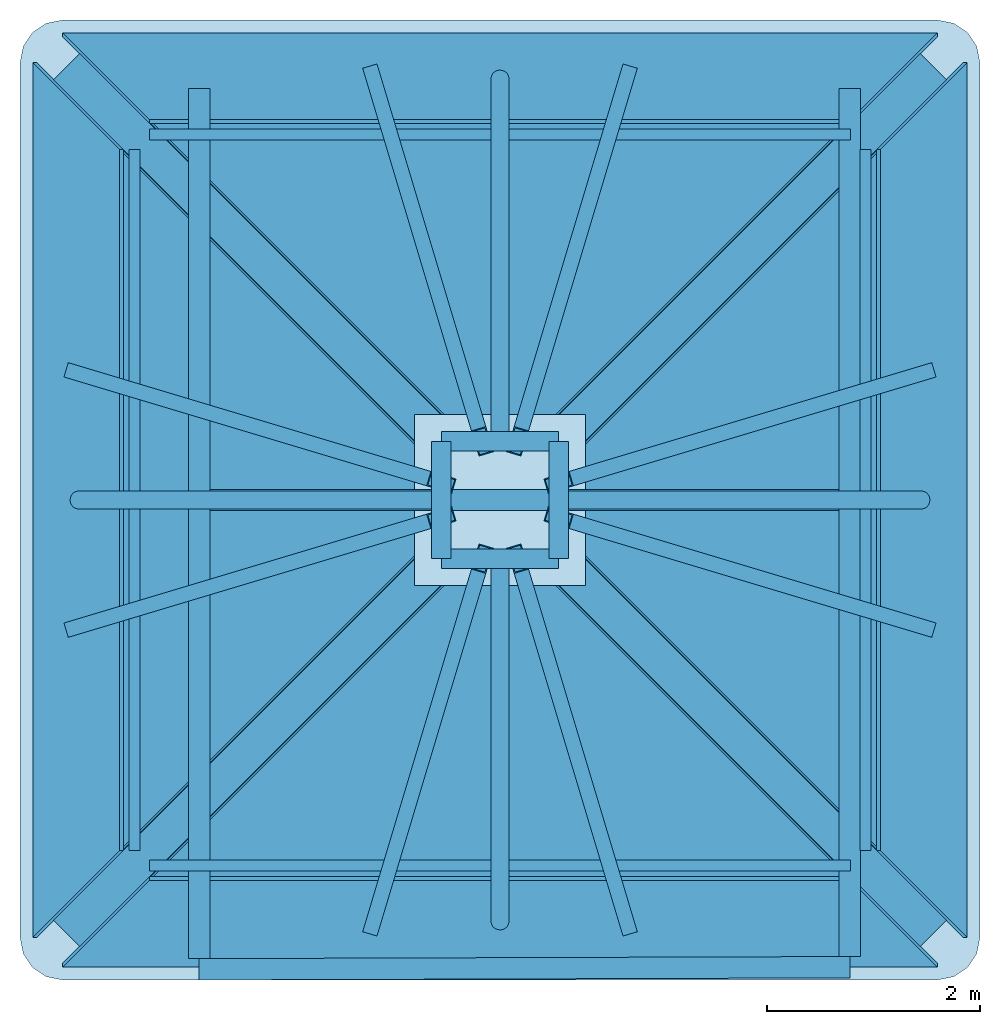
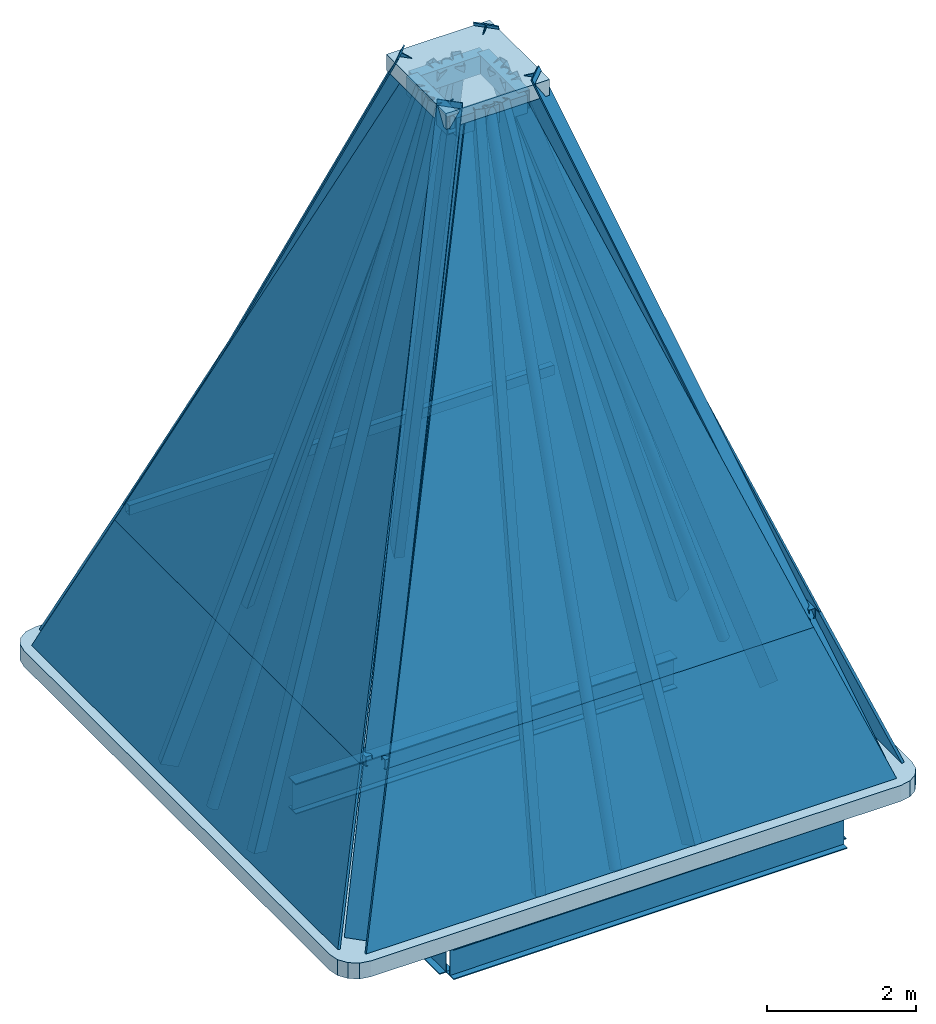
# One storey: 20 members, 9 plates, 8 beams, 1 slab, 4 elements without a shape of their own.
"""IFC4 building model written with IfcOpenShell, lengths in metres."""

import ifcopenshell
import ifcopenshell.guid

model = None  # the IFC model being written
_history = None  # IfcOwnerHistory: only IFC2X3 demands one
_inside = {}  # id of a spatial element -> (the spatial element, [elements in it])
_under = {}  # id of a project, library or spatial element -> (it, [spatial elements below it])
_declared = {}  # id of a project -> (the project, [libraries it declares])
_typed = {}  # id of a type object -> (the type object, [elements of that type])
_made_of = {}  # id of a material, layer set ... -> (it, [elements and type objects made of it])


def new_model(schema):
    """Start an empty IFC model of exactly this schema.

    Asked for "IFC4X3", IfcOpenShell would pick the latest addendum, in which some entities
    have other attributes; the version numbers below select the first issue.
    IFC2X3 requires an IfcOwnerHistory on every rooted entity: one is made here for all.
    """
    global model, _history
    if schema == "IFC4X3":
        model = ifcopenshell.file(schema_version=(4, 3, 0, 0))
    else:
        model = ifcopenshell.file(schema=schema)
    _inside.clear()
    _under.clear()
    _declared.clear()
    _typed.clear()
    _made_of.clear()
    _history = None
    if model.schema == "IFC2X3":
        org = make("IfcOrganization", Name="unknown")
        user = make(
            "IfcPersonAndOrganization",
            ThePerson=make("IfcPerson", FamilyName="unknown"),
            TheOrganization=org,
        )
        app = make(
            "IfcApplication",
            ApplicationDeveloper=org,
            Version="unknown",
            ApplicationFullName="unknown",
            ApplicationIdentifier="unknown",
        )
        _history = make(
            "IfcOwnerHistory",
            OwningUser=user,
            OwningApplication=app,
            ChangeAction="ADDED",
            CreationDate=0,
        )
    return model


def make(cls, **values):
    """One entity of the class cls with the attributes given. An attribute that is None is left unset."""
    return model.create_entity(
        cls, **{name: value for name, value in values.items() if value is not None}
    )


def rooted(cls, **values):
    """An entity with a GlobalId (a new one), such as an element, a storey or a relation."""
    return make(cls, GlobalId=ifcopenshell.guid.new(), OwnerHistory=_history, **values)


def si_unit(unit_type, name, prefix=None):
    """IfcSIUnit, for example si_unit("LENGTHUNIT", "METRE", prefix="MILLI")."""
    return make("IfcSIUnit", UnitType=unit_type, Prefix=prefix, Name=name)


def assignment(units):
    """IfcUnitAssignment: the units of a project."""
    return None if units is None else make("IfcUnitAssignment", Units=units)


def point(xyz):
    """IfcCartesianPoint."""
    return None if xyz is None else make("IfcCartesianPoint", Coordinates=xyz)


def direction(xyz):
    """IfcDirection."""
    return None if xyz is None else make("IfcDirection", DirectionRatios=xyz)


def frame(location, z_axis=None, x_axis=None):
    """IfcAxis2Placement3D, a coordinate frame: its origin and axes. An axis left out is left unset."""
    return make(
        "IfcAxis2Placement3D",
        Location=point(location),
        Axis=direction(z_axis),
        RefDirection=direction(x_axis),
    )


def frame_2d(location, x_axis=None):
    """IfcAxis2Placement2D, a coordinate frame in the plane: its origin and x axis."""
    return make(
        "IfcAxis2Placement2D", Location=point(location), RefDirection=direction(x_axis)
    )


def origin():
    """The frame at (0, 0, 0) with its axes left unset."""
    return frame((0.0, 0.0, 0.0))


def origin_2d():
    """The frame at (0, 0) in the plane with its x axis left unset."""
    return frame_2d((0.0, 0.0))


def place(relative_to, where):
    """IfcLocalPlacement: puts the frame where relative to a parent placement (None: the world)."""
    return make(
        "IfcLocalPlacement", PlacementRelTo=relative_to, RelativePlacement=where
    )


def context(
    kind, dimensions, precision=None, world=None, true_north=None, identifier=None
):
    """IfcGeometricRepresentationContext, for example the 3D "Model" context."""
    return make(
        "IfcGeometricRepresentationContext",
        ContextIdentifier=identifier,
        ContextType=kind,
        CoordinateSpaceDimension=dimensions,
        Precision=precision,
        WorldCoordinateSystem=world,
        TrueNorth=true_north,
    )


def subcontext(parent, identifier, kind, view, scale=None):
    """IfcGeometricRepresentationSubContext, for example "Body" below "Model"."""
    return make(
        "IfcGeometricRepresentationSubContext",
        ContextIdentifier=identifier,
        ContextType=kind,
        ParentContext=parent,
        TargetScale=scale,
        TargetView=view,
    )


def project(units=None, contexts=None):
    """IfcProject with its units and contexts."""
    return rooted(
        "IfcProject",
        Name="project",
        RepresentationContexts=contexts,
        UnitsInContext=assignment(units),
    )


def spatial(cls, under=None, at=None, **own):
    """A site, building, storey or space (cls), placed at a placement, below another one or the project."""
    s = rooted(cls, ObjectPlacement=at, **own)
    if under is not None:
        _under.setdefault(under.id(), (under, []))[1].append(s)
    return s


def polyline(points):
    """IfcPolyline through the points."""
    return make("IfcPolyline", Points=[point(p) for p in points])


def profile(cls, at=None, kind="AREA", **sizes):
    """A parametric profile (cls). Its sizes go by their IFC names, for example OverallWidth=200.0."""
    return make(cls, ProfileType=kind, Position=at, **sizes)


def hollow_rectangle(**sizes):
    """IfcRectangleHollowProfileDef."""
    return profile("IfcRectangleHollowProfileDef", **sizes)


def hollow_circle(**sizes):
    """IfcCircleHollowProfileDef."""
    return profile("IfcCircleHollowProfileDef", **sizes)


def i_section(**sizes):
    """IfcIShapeProfileDef."""
    return profile("IfcIShapeProfileDef", **sizes)


def outline(outer, holes=None, kind="AREA"):
    """IfcArbitraryClosedProfileDef: a profile drawn as a closed curve; with holes, ...WithVoids."""
    if holes is None:
        return make("IfcArbitraryClosedProfileDef", ProfileType=kind, OuterCurve=outer)
    return make(
        "IfcArbitraryProfileDefWithVoids",
        ProfileType=kind,
        OuterCurve=outer,
        InnerCurves=holes,
    )


def extrude(swept, where, along, depth):
    """IfcExtrudedAreaSolid: the profile swept, set in the frame where, extruded along a direction by depth."""
    return make(
        "IfcExtrudedAreaSolid",
        SweptArea=swept,
        Position=where,
        ExtrudedDirection=direction(along),
        Depth=depth,
    )


def shape(context_of_items, identifier, shape_type, items):
    """IfcShapeRepresentation: the items that make up one representation, for example the "Body"."""
    return make(
        "IfcShapeRepresentation",
        ContextOfItems=context_of_items,
        RepresentationIdentifier=identifier,
        RepresentationType=shape_type,
        Items=items,
    )


def material(Name=None, Category=None):
    """IfcMaterial."""
    return make("IfcMaterial", Name=Name, Category=Category)


def layer(
    of_material, thickness, ventilated=None, Name=None, Category=None, Priority=None
):
    """IfcMaterialLayer: one layer of a wall or slab, of a material (None: an air gap)."""
    return make(
        "IfcMaterialLayer",
        Material=of_material,
        LayerThickness=thickness,
        IsVentilated=ventilated,
        Name=Name,
        Category=Category,
        Priority=Priority,
    )


def layer_set(layers, Name=None):
    """IfcMaterialLayerSet."""
    return make("IfcMaterialLayerSet", MaterialLayers=layers, LayerSetName=Name)


def material_profile(
    of_material, cross_section, Name=None, Category=None, Priority=None
):
    """IfcMaterialProfile: a cross section and its material."""
    return make(
        "IfcMaterialProfile",
        Name=Name,
        Material=of_material,
        Profile=cross_section,
        Priority=Priority,
        Category=Category,
    )


def profile_set(profiles, Name=None, composite=None):
    """IfcMaterialProfileSet."""
    return make(
        "IfcMaterialProfileSet",
        Name=Name,
        MaterialProfiles=profiles,
        CompositeProfile=composite,
    )


def made_of(thing, what):
    """Note that an element or type object is made of a material, layer set ...; save() writes the relation."""
    if what is not None:
        _made_of.setdefault(what.id(), (what, []))[1].append(thing)
    return thing


def type_object(cls, material=None, **own):
    """A type object (cls), such as IfcWallType, which elements share."""
    return made_of(rooted(cls, **own), material)


def element(
    cls,
    number,
    at=None,
    inside=None,
    cuts=None,
    type_object=None,
    material=None,
    context=None,
    identifier="Body",
    shape_type=None,
    held_by="IfcProductDefinitionShape",
    body=None,
    shapes=None,
    **own,
):
    """One element of the class cls, such as IfcWall. Its Tag is "e" and its number.

    at: its placement. inside: the storey or other place that contains it. cuts: it is an
    opening in that element (IfcRelVoidsElement). A single representation is given by context,
    identifier, shape_type and body (its items); several are given by shapes. held_by: the class
    of the entity that holds the representations. save() writes the other relations.
    """
    e = rooted(cls, Tag="e%d" % number, ObjectPlacement=at, **own)
    if body is not None:
        shapes = [shape(context, identifier, shape_type, body)]
    if shapes is not None:
        e.Representation = make(held_by, Representations=shapes)
    if inside is not None:
        _inside.setdefault(inside.id(), (inside, []))[1].append(e)
    if cuts is not None:
        rooted(
            "IfcRelVoidsElement", RelatingBuildingElement=cuts, RelatedOpeningElement=e
        )
    if type_object is not None:
        _typed.setdefault(type_object.id(), (type_object, []))[1].append(e)
    return made_of(e, material)


def aggregate(whole, parts):
    """IfcRelAggregates: a whole, such as a stair, and the parts it consists of."""
    return rooted("IfcRelAggregates", RelatingObject=whole, RelatedObjects=parts)


def save(model, path):
    """Write the relations noted so far, then the file.

    IfcRelAggregates (storeys below a building ...), IfcRelContainedInSpatialStructure (elements
    in a storey), IfcRelDefinesByType, IfcRelAssociatesMaterial and IfcRelDeclares: one each for
    every whole, place, type object, material and project.
    """
    for whole, parts in _under.values():
        aggregate(whole, parts)
    for where, things in _inside.values():
        rooted(
            "IfcRelContainedInSpatialStructure",
            RelatedElements=things,
            RelatingStructure=where,
        )
    for kind, things in _typed.values():
        rooted("IfcRelDefinesByType", RelatedObjects=things, RelatingType=kind)
    for what, things in _made_of.values():
        rooted("IfcRelAssociatesMaterial", RelatedObjects=things, RelatingMaterial=what)
    for by, libraries in _declared.values():
        rooted("IfcRelDeclares", RelatingContext=by, RelatedDefinitions=libraries)
    model.write(path)


model = new_model("IFC4")

# Units and contexts
model_context = context("Model", 3, precision=1e-05, world=origin(), true_north=direction((0.0, 1.0)))
body_context = subcontext(model_context, "Body", "Model", "MODEL_VIEW")
ifc_project = project(units=[si_unit("LENGTHUNIT", "METRE"), si_unit("AREAUNIT", "SQUARE_METRE"), si_unit("VOLUMEUNIT", "CUBIC_METRE"), si_unit("PLANEANGLEUNIT", "RADIAN"), si_unit("MASSUNIT", "GRAM", prefix="KILO")], contexts=[model_context])

# Site, building, storey
site_placement = place(None, origin())
site = spatial("IfcSite", under=ifc_project, at=site_placement, CompositionType="ELEMENT")
building_placement = place(site_placement, origin())
building = spatial("IfcBuilding", under=site, at=building_placement, Name="Khorvyn Point Tower", CompositionType="ELEMENT")
storey_placement = place(building_placement, frame((0.0, 0.0, 344.550048828125)))
storey = spatial("IfcBuildingStorey", under=building, at=storey_placement, Name="L80", CompositionType="ELEMENT", Elevation=344.550048828125)

# Curtain wall, member
ifc_material_1 = material(Name="Anodised aluminium 6063-T6 and laminated Low-E glass", Category="aluminium")
ifc_layer_1 = layer(ifc_material_1, 0.18994140625)
ifc_layer_set_1 = layer_set([ifc_layer_1], Name="Stick-Built Crystal Atrium Curtain Wall CW-SYS-06")
curtain_wall_type = type_object("IfcCurtainWallType", Name="Stick-Built Crystal Atrium Curtain Wall CW-SYS-06", PredefinedType="NOTDEFINED", material=ifc_layer_set_1)
curtain_wall_1_placement = place(storey_placement, origin())
curtain_wall_1 = element("IfcCurtainWall", 1, at=curtain_wall_1_placement, inside=storey, type_object=curtain_wall_type, Name="L80 Glass-Point Crown Pyramid South Curtain Wall", PredefinedType="NOTDEFINED")
ifc_material_2 = material(Name="Anodised aluminium 6063-T6", Category="aluminium")
ifc_material_profile_1 = material_profile(ifc_material_2, hollow_rectangle(XDim=0.10009765625, YDim=0.159912109375, WallThickness=0.00439453125, at=origin_2d()))
ifc_profile_set_1 = profile_set([ifc_material_profile_1], Name="Anodised aluminium 6063-T6 ALU-TRN-100x160")
member_type_1 = type_object("IfcMemberType", Name="Anodised Aluminium 6063-T6 Transom ALU-TRN-100x160", PredefinedType="USERDEFINED", material=ifc_profile_set_1)
member_1_placement = place(storey_placement, frame((-4.986083984375, -3.22607421875, 2.299072265625), z_axis=(1.0, 0.0, 0.0), x_axis=(0.0, 1.0, 0.0)))
member_1 = element("IfcMember", 2, at=member_1_placement, type_object=member_type_1, Name="L80 Crown Transom SOUTH", ObjectType="TRANSOM", PredefinedType="USERDEFINED", context=body_context, shape_type="SweptSolid", body=[
    extrude(hollow_rectangle(XDim=0.10009765625, YDim=0.159912109375, WallThickness=0.00439453125, at=origin_2d()), origin(), (0.0, 0.0, 1.0), 6.572021484375),
])

curtain_wall_2_placement = place(storey_placement, origin())
curtain_wall_2 = element("IfcCurtainWall", 3, at=curtain_wall_2_placement, inside=storey, type_object=curtain_wall_type, Name="L80 Glass-Point Crown Pyramid East Curtain Wall", PredefinedType="NOTDEFINED")
member_2_placement = place(storey_placement, frame((1.72607421875, -3.0859375, 2.299072265625), z_axis=(0.0, 1.0, 0.0), x_axis=(-1.0, 0.0, 0.0)))
member_2 = element("IfcMember", 4, at=member_2_placement, type_object=member_type_1, Name="L80 Crown Transom EAST", ObjectType="TRANSOM", PredefinedType="USERDEFINED", context=body_context, shape_type="SweptSolid", body=[
    extrude(hollow_rectangle(XDim=0.10009765625, YDim=0.159912109375, WallThickness=0.00439453125, at=origin_2d()), origin(), (0.0, 0.0, 1.0), 6.572021484375),
])

curtain_wall_3_placement = place(storey_placement, origin())
curtain_wall_3 = element("IfcCurtainWall", 5, at=curtain_wall_3_placement, inside=storey, type_object=curtain_wall_type, Name="L80 Glass-Point Crown Pyramid North Curtain Wall", PredefinedType="NOTDEFINED")
member_3_placement = place(storey_placement, frame((1.5859375, 3.6259765625, 2.299072265625), z_axis=(-1.0, 0.0, 0.0), x_axis=(0.0, -1.0, 0.0)))
member_3 = element("IfcMember", 6, at=member_3_placement, type_object=member_type_1, Name="L80 Crown Transom NORTH", ObjectType="TRANSOM", PredefinedType="USERDEFINED", context=body_context, shape_type="SweptSolid", body=[
    extrude(hollow_rectangle(XDim=0.10009765625, YDim=0.159912109375, WallThickness=0.00439453125, at=origin_2d()), origin(), (0.0, 0.0, 1.0), 6.572021484375),
])

curtain_wall_4_placement = place(storey_placement, origin())
curtain_wall_4 = element("IfcCurtainWall", 7, at=curtain_wall_4_placement, inside=storey, type_object=curtain_wall_type, Name="L80 Glass-Point Crown Pyramid West Curtain Wall", PredefinedType="NOTDEFINED")
member_4_placement = place(storey_placement, frame((-5.1259765625, 3.486083984375, 2.299072265625), z_axis=(0.0, -1.0, 0.0), x_axis=(1.0, 0.0, 0.0)))
member_4 = element("IfcMember", 8, at=member_4_placement, type_object=member_type_1, Name="L80 Crown Transom WEST", ObjectType="TRANSOM", PredefinedType="USERDEFINED", context=body_context, shape_type="SweptSolid", body=[
    extrude(hollow_rectangle(XDim=0.10009765625, YDim=0.159912109375, WallThickness=0.00439453125, at=origin_2d()), origin(), (0.0, 0.0, 1.0), 6.572021484375),
])

# Beams
ifc_material_3 = material(Name="Steel S355", Category="steel")
ifc_material_profile_2 = material_profile(ifc_material_3, i_section(OverallWidth=0.199951171875, OverallDepth=0.5, WebThickness=0.010009765625, FlangeThickness=0.01611328125, at=origin_2d()))
ifc_profile_set_2 = profile_set([ifc_material_profile_2], Name="Steel S355 H500x200x10x16")
beam_type_1 = type_object("IfcBeamType", Name="Steel S355 Beam H500x200x10x16", PredefinedType="BEAM", material=ifc_profile_set_2)
beam_1_placement = place(storey_placement, frame((-4.52001953125, -4.199951171875, -0.510009765625), z_axis=(0.999994614814, 0.003281820156, 0.0), x_axis=(-0.003281820156, 0.999994614814, 0.0)))
element("IfcBeam", 9, at=beam_1_placement, inside=storey, type_object=beam_type_1, Name="L80 Crown Core Tie Beam S", PredefinedType="BEAM", context=body_context, shape_type="SweptSolid", body=[
    extrude(i_section(OverallWidth=0.199951171875, OverallDepth=0.5, WebThickness=0.010009765625, FlangeThickness=0.01611328125, at=origin_2d()), origin(), (0.0, 0.0, 1.0), 6.10009765625),
])
beam_2_placement = place(storey_placement, frame((-4.419921875, 0.199951171875, -0.510009765625), z_axis=(1.0, 0.0, 0.0), x_axis=(0.0, 1.0, 0.0)))
element("IfcBeam", 10, at=beam_2_placement, inside=storey, type_object=beam_type_1, Name="L80 Crown Core Tie Beam N", PredefinedType="BEAM", context=body_context, shape_type="SweptSolid", body=[
    extrude(i_section(OverallWidth=0.199951171875, OverallDepth=0.5, WebThickness=0.010009765625, FlangeThickness=0.01611328125, at=origin_2d()), origin(), (0.0, 0.0, 1.0), 5.89990234375),
])
beam_3_placement = place(storey_placement, frame((-4.52001953125, -4.10009765625, -0.510009765625), z_axis=(0.0, 1.0, 0.0), x_axis=(-1.0, 0.0, 0.0)))
element("IfcBeam", 11, at=beam_3_placement, inside=storey, type_object=beam_type_1, Name="L80 Crown Core Tie Beam W", PredefinedType="BEAM", context=body_context, shape_type="SweptSolid", body=[
    extrude(i_section(OverallWidth=0.199951171875, OverallDepth=0.5, WebThickness=0.010009765625, FlangeThickness=0.01611328125, at=origin_2d()), origin(), (0.0, 0.0, 1.0), 8.16015625),
])
beam_4_placement = place(storey_placement, frame((1.580078125, -4.080078125, -0.510009765625), z_axis=(0.0, 1.0, 0.0), x_axis=(-1.0, 0.0, 0.0)))
element("IfcBeam", 12, at=beam_4_placement, inside=storey, type_object=beam_type_1, Name="L80 Crown Core Tie Beam E", PredefinedType="BEAM", context=body_context, shape_type="SweptSolid", body=[
    extrude(i_section(OverallWidth=0.199951171875, OverallDepth=0.5, WebThickness=0.010009765625, FlangeThickness=0.01611328125, at=origin_2d()), origin(), (0.0, 0.0, 1.0), 8.14013671875),
])
ifc_material_profile_3 = material_profile(ifc_material_3, hollow_rectangle(XDim=0.179931640625, YDim=0.300048828125, WallThickness=0.011962890625, at=origin_2d()))
ifc_profile_set_3 = profile_set([ifc_material_profile_3], Name="Steel S355 RHS300x180x12")
beam_type_2 = type_object("IfcBeamType", Name="Steel S355 Beam RHS300x180x12", PredefinedType="BEAM", material=ifc_profile_set_3)
for number, where, z_axis, x_axis, name in (
    (13, (-2.25, -0.35009765625, 10.0400390625), (1.0, 0.0, 0.0), (0.0, 1.0, 0.0), "L80 Crown Top Ring Beam 1"),
    (14, (-1.14990234375, -0.35009765625, 10.0400390625), (0.0, 1.0, 0.0), (-1.0, 0.0, 0.0), "L80 Crown Top Ring Beam 2"),
    (15, (-1.14990234375, 0.75, 10.0400390625), (-1.0, 0.0, 0.0), (0.0, -1.0, 0.0), "L80 Crown Top Ring Beam 3"),
    (16, (-2.25, 0.75, 10.0400390625), (0.0, -1.0, 0.0), (1.0, 0.0, 0.0), "L80 Crown Top Ring Beam 4"),
):
    element("IfcBeam", number, at=place(storey_placement, frame(where, z_axis=z_axis, x_axis=x_axis)), inside=storey, type_object=beam_type_2, Name=name, PredefinedType="BEAM", context=body_context, shape_type="SweptSolid", body=[
        extrude(hollow_rectangle(XDim=0.179931640625, YDim=0.300048828125, WallThickness=0.011962890625, at=origin_2d()), origin(), (0.0, 0.0, 1.0), 1.10009765625),
    ])

# Members
ifc_material_profile_4 = material_profile(ifc_material_3, i_section(OverallWidth=0.35009765625, OverallDepth=0.35009765625, WebThickness=0.011962890625, FlangeThickness=0.01904296875, at=origin_2d()))
ifc_profile_set_4 = profile_set([ifc_material_profile_4], Name="Steel S355 H350x350x12x19")
member_type_2 = type_object("IfcMemberType", Name="Steel S355 Exoskeleton Structural Post H350x350x12x19", PredefinedType="POST", material=ifc_profile_set_4)
for number, where, z_axis, x_axis, name in (
    (17, (-5.64990234375, -3.75, 0.0), (0.295565301848, 0.295565301848, 0.908450496553), (-0.707106781187, 0.707106781187, 0.0), "L80 CROWN FRAME Corner Hip Post 1"),
    (18, (2.25, -3.75, 0.0), (-0.295565301848, 0.295565301848, 0.908450496553), (-0.707106781187, -0.707106781187, 0.0), "L80 CROWN FRAME Corner Hip Post 2"),
    (19, (2.25, 4.14990234375, 0.0), (-0.295565301848, -0.295565301848, 0.908450496553), (0.707106781187, -0.707106781187, 0.0), "L80 CROWN FRAME Corner Hip Post 3"),
    (20, (-5.64990234375, 4.14990234375, 0.0), (0.295565301848, -0.295565301848, 0.908450496553), (0.707106781187, 0.707106781187, 0.0), "L80 CROWN FRAME Corner Hip Post 4"),
):
    element("IfcMember", number, at=place(storey_placement, frame(where, z_axis=z_axis, x_axis=x_axis)), inside=storey, type_object=member_type_2, Name=name, PredefinedType="POST", context=body_context, shape_type="SweptSolid", body=[
        extrude(i_section(OverallWidth=0.35009765625, OverallDepth=0.35009765625, WebThickness=0.011962890625, FlangeThickness=0.01904296875, at=origin_2d()), origin(), (0.0, 0.0, 1.0), 11.5029296875),
    ])
ifc_material_profile_5 = material_profile(ifc_material_3, hollow_circle(Radius=0.084228515625, WallThickness=0.008056640625, at=origin_2d()))
ifc_profile_set_5 = profile_set([ifc_material_profile_5], Name="Steel S355 CHS168.3x8")
member_type_3 = type_object("IfcMemberType", Name="Steel S355 Truss Rafter CHS168.3x8", PredefinedType="RAFTER", material=ifc_profile_set_5)
for number, where, z_axis, x_axis, name in (
    (21, (-1.699951171875, -3.75, -0.260009765625), (0.0, 0.309387971049, 0.950935898665), (-1.0, 0.0, 0.0), "L80 CROWN FRAME Secondary Rafter 1"),
    (22, (2.25, 0.199951171875, -0.260009765625), (-0.309387971049, 0.0, 0.950935898665), (0.0, -1.0, 0.0), "L80 CROWN FRAME Secondary Rafter 2"),
    (23, (-1.699951171875, 4.14990234375, -0.260009765625), (0.0, -0.309387971049, 0.950935898665), (1.0, 0.0, 0.0), "L80 CROWN FRAME Secondary Rafter 3"),
    (24, (-5.64990234375, 0.199951171875, -0.260009765625), (0.309387971049, 0.0, 0.950935898665), (0.0, 1.0, 0.0), "L80 CROWN FRAME Secondary Rafter 4"),
):
    element("IfcMember", number, at=place(storey_placement, frame(where, z_axis=z_axis, x_axis=x_axis)), inside=storey, type_object=member_type_3, Name=name, PredefinedType="RAFTER", context=body_context, shape_type="SweptSolid", body=[
        extrude(hollow_circle(Radius=0.084228515625, WallThickness=0.008056640625, at=origin_2d()), origin(), (0.0, 0.0, 1.0), 10.989013671875),
    ])
ifc_material_profile_6 = material_profile(ifc_material_3, hollow_rectangle(XDim=0.139892578125, YDim=0.260009765625, WallThickness=0.010009765625, at=origin_2d()))
ifc_profile_set_6 = profile_set([ifc_material_profile_6], Name="Steel S355 RHS260x140x10")
member_type_4 = type_object("IfcMemberType", Name="Steel S355 Truss Rafter RHS260x140x10", PredefinedType="RAFTER", material=ifc_profile_set_6)
for number, where, z_axis, x_axis, name in (
    (25, (-2.885009765625, -3.75, -0.260009765625), (0.092423541442, 0.30806372382, 0.946865687969), (-0.957822499114, 0.287360505622, 0.0), "L80 CROWN FRAME Primary Rafter 1-1"),
    (26, (-0.514892578125, -3.75, -0.260009765625), (-0.092423541442, 0.30806372382, 0.946865687969), (-0.957822499114, -0.287360505622, 0.0), "L80 CROWN FRAME Primary Rafter 1-2"),
    (27, (2.25, -0.985107421875, -0.260009765625), (-0.30806372382, 0.092423541442, 0.946865687969), (-0.287360505622, -0.957822499114, 0.0), "L80 CROWN FRAME Primary Rafter 2-1"),
    (28, (2.25, 1.385009765625, -0.260009765625), (-0.30806372382, -0.092423541442, 0.946865687969), (0.287360505622, -0.957822499114, 0.0), "L80 CROWN FRAME Primary Rafter 2-2"),
    (29, (-0.514892578125, 4.14990234375, -0.260009765625), (-0.092423541442, -0.30806372382, 0.946865687969), (0.957822499114, -0.287360505622, 0.0), "L80 CROWN FRAME Primary Rafter 3-1"),
    (30, (-2.885009765625, 4.14990234375, -0.260009765625), (0.092423541442, -0.30806372382, 0.946865687969), (0.957822499114, 0.287360505622, 0.0), "L80 CROWN FRAME Primary Rafter 3-2"),
    (31, (-5.64990234375, 1.385009765625, -0.260009765625), (0.30806372382, -0.092423541442, 0.946865687969), (0.287360505622, 0.957822499114, 0.0), "L80 CROWN FRAME Primary Rafter 4-1"),
    (32, (-5.64990234375, -0.985107421875, -0.260009765625), (0.30806372382, 0.092423541442, 0.946865687969), (-0.287360505622, 0.957822499114, 0.0), "L80 CROWN FRAME Primary Rafter 4-2"),
):
    element("IfcMember", number, at=place(storey_placement, frame(where, z_axis=z_axis, x_axis=x_axis)), inside=storey, type_object=member_type_4, Name=name, PredefinedType="RAFTER", context=body_context, shape_type="SweptSolid", body=[
        extrude(hollow_rectangle(XDim=0.139892578125, YDim=0.260009765625, WallThickness=0.010009765625, at=origin_2d()), origin(), (0.0, 0.0, 1.0), 11.036376953125),
    ])

# Slab
ifc_material_4 = material(Name="Concrete C40/50", Category="concrete")
ifc_layer_2 = layer(ifc_material_4, 0.260009765625)
ifc_layer_set_2 = layer_set([ifc_layer_2], Name="Concrete C40/50 Crown Apex Cap Slab 260")
slab_type = type_object("IfcSlabType", Name="Concrete C40/50 Crown Apex Cap Slab 260", PredefinedType="ROOF", material=ifc_layer_set_2)
slab_placement = place(storey_placement, frame((0.0, 0.0, -0.260009765625)))
element("IfcSlab", 33, at=slab_placement, inside=storey, type_object=slab_type, Name="L80 Main Structural Roof Slab", PredefinedType="ROOF", context=body_context, shape_type="SweptSolid", body=[
    extrude(outline(polyline([(2.39990234375, -4.300048828125), (2.552978515625, -4.26953125), (2.682861328125, -4.182861328125), (2.76953125, -4.052978515625), (2.800048828125, -3.89990234375), (2.800048828125, 4.300048828125), (2.76953125, 4.453125), (2.682861328125, 4.582763671875), (2.552978515625, 4.669677734375), (2.39990234375, 4.699951171875), (-5.800048828125, 4.699951171875), (-5.953125, 4.669677734375), (-6.082763671875, 4.582763671875), (-6.169677734375, 4.453125), (-6.199951171875, 4.300048828125), (-6.199951171875, -3.89990234375), (-6.169677734375, -4.052978515625), (-6.082763671875, -4.182861328125), (-5.953125, -4.26953125), (-5.800048828125, -4.300048828125), (2.39990234375, -4.300048828125)])), origin(), (0.0, 0.0, 1.0), 0.260009765625),
])

# Plate
ifc_material_5 = material(Name="Pale anodised aluminium 5005", Category="aluminium")
ifc_layer_3 = layer(ifc_material_5, 0.260009765625)
ifc_layer_set_3 = layer_set([ifc_layer_3], Name="Pale Anodised Aluminium Crown Apex Cap Plate 260")
plate_type_1 = type_object("IfcPlateType", Name="Pale Anodised Aluminium Crown Apex Cap Plate 260", PredefinedType="SHEET", material=ifc_layer_set_3)
plate_1_placement = place(storey_placement, frame((0.0, 0.0, 10.18994140625)))
element("IfcPlate", 34, at=plate_1_placement, inside=storey, type_object=plate_type_1, Name="L80 Glass-Point Crown Apex Cap Plate", PredefinedType="SHEET", context=body_context, shape_type="SweptSolid", body=[
    extrude(outline(polyline([(-2.5, -0.60009765625), (-0.89990234375, -0.60009765625), (-0.89990234375, 1.0), (-2.5, 1.0), (-2.5, -0.60009765625)])), origin(), (0.0, 0.0, 1.0), 0.260009765625),
])

ifc_layer_4 = layer(ifc_material_5, 0.0400390625)
ifc_layer_set_4 = layer_set([ifc_layer_4], Name="Pale Champagne Aluminium Insulated Spandrel Panel CW-SP40")
plate_type_2 = type_object("IfcPlateType", Name="Pale Champagne Aluminium Insulated Spandrel Panel CW-SP40", PredefinedType="SHEET", material=ifc_layer_set_4)
plate_2_placement = place(storey_placement, frame((-5.800048828125, -4.179931640625, 0.0400390625), z_axis=(0.0, -0.940792757528, 0.338982281811), x_axis=(1.0, 0.0, 0.0)))
plate_2 = element("IfcPlate", 35, at=plate_2_placement, type_object=plate_type_2, Name="L80 Crown Spandrel Skirt SOUTH", PredefinedType="SHEET", context=body_context, shape_type="SweptSolid", body=[
    extrude(outline(polyline([(0.0, 0.0), (8.199951171875, 0.0), (7.385986328125, 2.4012017365648726), (0.81396484375, 2.4012017365648726), (0.0, 0.0)])), origin(), (0.0, 0.0, -1.0), 0.0400390625),
])

plate_3_placement = place(storey_placement, frame((2.679931640625, -3.89990234375, 0.0400390625), z_axis=(0.940792757528, 0.0, 0.338982281811), x_axis=(0.0, 1.0, 0.0)))
plate_3 = element("IfcPlate", 36, at=plate_3_placement, type_object=plate_type_2, Name="L80 Crown Spandrel Skirt EAST", PredefinedType="SHEET", context=body_context, shape_type="SweptSolid", body=[
    extrude(outline(polyline([(0.0, 0.0), (8.199951171875, 0.0), (7.385986328125, 2.4012017365648726), (0.81396484375, 2.4012017365648726), (0.0, 0.0)])), origin(), (0.0, 0.0, -1.0), 0.0400390625),
])

plate_4_placement = place(storey_placement, frame((2.39990234375, 4.580078125, 0.0400390625), z_axis=(0.0, 0.940792757528, 0.338982281811), x_axis=(-1.0, 0.0, 0.0)))
plate_4 = element("IfcPlate", 37, at=plate_4_placement, type_object=plate_type_2, Name="L80 Crown Spandrel Skirt NORTH", PredefinedType="SHEET", context=body_context, shape_type="SweptSolid", body=[
    extrude(outline(polyline([(0.0, 0.0), (8.199951171875, 0.0), (7.385986328125, 2.4012017365648726), (0.81396484375, 2.4012017365648726), (0.0, 0.0)])), origin(), (0.0, 0.0, -1.0), 0.0400390625),
])

plate_5_placement = place(storey_placement, frame((-6.080078125, 4.300048828125, 0.0400390625), z_axis=(-0.940792757528, 0.0, 0.338982281811), x_axis=(0.0, -1.0, 0.0)))
plate_5 = element("IfcPlate", 38, at=plate_5_placement, type_object=plate_type_2, Name="L80 Crown Spandrel Skirt WEST", PredefinedType="SHEET", context=body_context, shape_type="SweptSolid", body=[
    extrude(outline(polyline([(0.0, 0.0), (8.199951171875, 0.0), (7.385986328125, 2.4012017365648726), (0.81396484375, 2.4012017365648726), (0.0, 0.0)])), origin(), (0.0, 0.0, -1.0), 0.0400390625),
])

ifc_material_6 = material(Name="Laminated Low-E insulated glass", Category="glass")
ifc_layer_5 = layer(ifc_material_6, 0.028076171875)
ifc_layer_set_5 = layer_set([ifc_layer_5], Name="Tempered Low-E Vision Glazing Panel CW-GL28")
plate_type_3 = type_object("IfcPlateType", Name="Tempered Low-E Vision Glazing Panel CW-GL28", PredefinedType="CURTAIN_PANEL", material=ifc_layer_set_5)
plate_6_placement = place(storey_placement, frame((-4.986083984375, -3.365966796875, 2.299072265625), z_axis=(0.0, -0.942136488292, 0.335229529471), x_axis=(1.0, 0.0, 0.0)))
plate_6 = element("IfcPlate", 39, at=plate_6_placement, type_object=plate_type_3, Name="L80 Crown Glass-Point Facet SOUTH", PredefinedType="CURTAIN_PANEL", context=body_context, shape_type="SweptSolid", body=[
    extrude(outline(polyline([(0.0, 0.0), (6.572021484375, 0.0), (3.68603515625, 8.608986006324262), (2.885986328125, 8.608986006324262), (0.0, 0.0)])), origin(), (0.0, 0.0, -1.0), 0.028076171875),
])

aggregate(curtain_wall_1, [plate_2, member_1, plate_6])

plate_7_placement = place(storey_placement, frame((1.865966796875, -3.0859375, 2.299072265625), z_axis=(0.942136488292, 0.0, 0.335229529471), x_axis=(0.0, 1.0, 0.0)))
plate_7 = element("IfcPlate", 40, at=plate_7_placement, type_object=plate_type_3, Name="L80 Crown Glass-Point Facet EAST", PredefinedType="CURTAIN_PANEL", context=body_context, shape_type="SweptSolid", body=[
    extrude(outline(polyline([(0.0, 0.0), (6.572021484375, 0.0), (3.68603515625, 8.608986006324262), (2.885986328125, 8.608986006324262), (0.0, 0.0)])), origin(), (0.0, 0.0, -1.0), 0.028076171875),
])

aggregate(curtain_wall_2, [plate_3, member_2, plate_7])

plate_8_placement = place(storey_placement, frame((1.5859375, 3.76611328125, 2.299072265625), z_axis=(0.0, 0.942127531421, 0.335254700995), x_axis=(-1.0, 0.0, 0.0)))
plate_8 = element("IfcPlate", 41, at=plate_8_placement, type_object=plate_type_3, Name="L80 Crown Glass-Point Facet NORTH", PredefinedType="CURTAIN_PANEL", context=body_context, shape_type="SweptSolid", body=[
    extrude(outline(polyline([(0.0, 0.0), (6.572021484375, 0.0), (3.68603515625, 8.609067852543815), (2.885986328125, 8.609067852543815), (0.0, 0.0)])), origin(), (0.0, 0.0, -1.0), 0.028076171875),
])

aggregate(curtain_wall_3, [plate_4, member_3, plate_8])

plate_9_placement = place(storey_placement, frame((-5.26611328125, 3.486083984375, 2.299072265625), z_axis=(-0.942127531421, 0.0, 0.335254700995), x_axis=(0.0, -1.0, 0.0)))
plate_9 = element("IfcPlate", 42, at=plate_9_placement, type_object=plate_type_3, Name="L80 Crown Glass-Point Facet WEST", PredefinedType="CURTAIN_PANEL", context=body_context, shape_type="SweptSolid", body=[
    extrude(outline(polyline([(0.0, 0.0), (6.572021484375, 0.0), (3.68603515625, 8.609067852543815), (2.885986328125, 8.609067852543815), (0.0, 0.0)])), origin(), (0.0, 0.0, -1.0), 0.028076171875),
])

aggregate(curtain_wall_4, [plate_5, member_4, plate_9])

save(model, "model.ifc")
